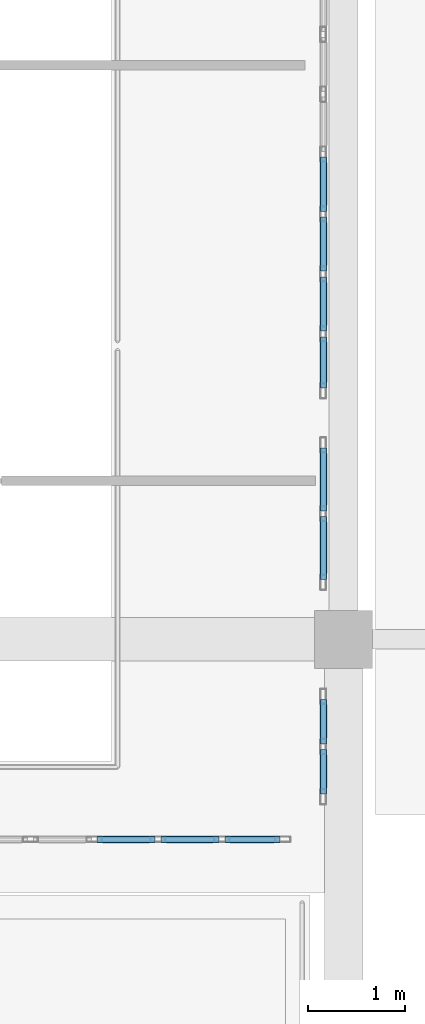
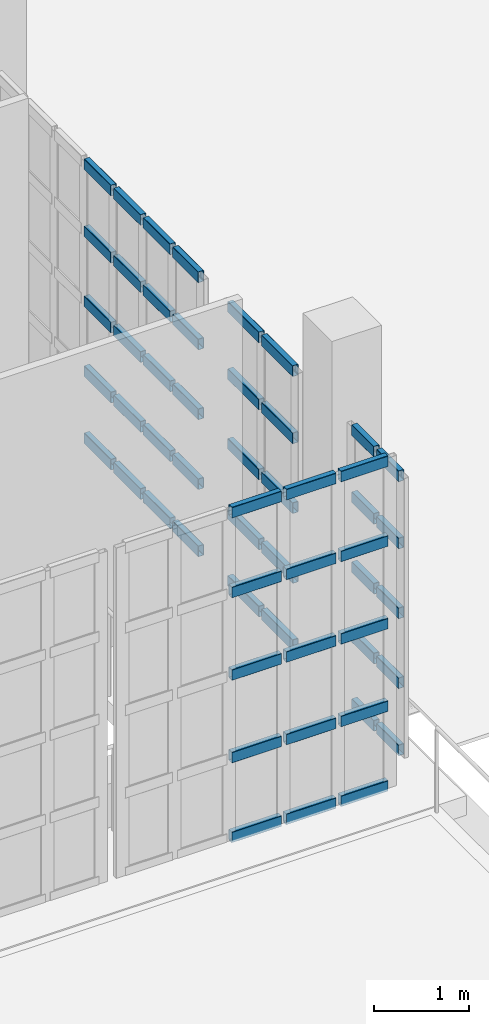
# One storey, part 28 of 56: 55 members, 4 elements without a shape of their own.
"""IFC4 building model written with IfcOpenShell, lengths in metres."""

import ifcopenshell
import ifcopenshell.guid

model = None  # the IFC model being written
_history = None  # IfcOwnerHistory: only IFC2X3 demands one
_inside = {}  # id of a spatial element -> (the spatial element, [elements in it])
_under = {}  # id of a project, library or spatial element -> (it, [spatial elements below it])
_declared = {}  # id of a project -> (the project, [libraries it declares])
_typed = {}  # id of a type object -> (the type object, [elements of that type])
_made_of = {}  # id of a material, layer set ... -> (it, [elements and type objects made of it])


def new_model(schema):
    """Start an empty IFC model of exactly this schema.

    Asked for "IFC4X3", IfcOpenShell would pick the latest addendum, in which some entities
    have other attributes; the version numbers below select the first issue.
    IFC2X3 requires an IfcOwnerHistory on every rooted entity: one is made here for all.
    """
    global model, _history
    if schema == "IFC4X3":
        model = ifcopenshell.file(schema_version=(4, 3, 0, 0))
    else:
        model = ifcopenshell.file(schema=schema)
    _inside.clear()
    _under.clear()
    _declared.clear()
    _typed.clear()
    _made_of.clear()
    _history = None
    if model.schema == "IFC2X3":
        org = make("IfcOrganization", Name="unknown")
        user = make(
            "IfcPersonAndOrganization",
            ThePerson=make("IfcPerson", FamilyName="unknown"),
            TheOrganization=org,
        )
        app = make(
            "IfcApplication",
            ApplicationDeveloper=org,
            Version="unknown",
            ApplicationFullName="unknown",
            ApplicationIdentifier="unknown",
        )
        _history = make(
            "IfcOwnerHistory",
            OwningUser=user,
            OwningApplication=app,
            ChangeAction="ADDED",
            CreationDate=0,
        )
    return model


def make(cls, **values):
    """One entity of the class cls with the attributes given. An attribute that is None is left unset."""
    return model.create_entity(
        cls, **{name: value for name, value in values.items() if value is not None}
    )


def rooted(cls, **values):
    """An entity with a GlobalId (a new one), such as an element, a storey or a relation."""
    return make(cls, GlobalId=ifcopenshell.guid.new(), OwnerHistory=_history, **values)


def si_unit(unit_type, name, prefix=None):
    """IfcSIUnit, for example si_unit("LENGTHUNIT", "METRE", prefix="MILLI")."""
    return make("IfcSIUnit", UnitType=unit_type, Prefix=prefix, Name=name)


def assignment(units):
    """IfcUnitAssignment: the units of a project."""
    return None if units is None else make("IfcUnitAssignment", Units=units)


def point(xyz):
    """IfcCartesianPoint."""
    return None if xyz is None else make("IfcCartesianPoint", Coordinates=xyz)


def direction(xyz):
    """IfcDirection."""
    return None if xyz is None else make("IfcDirection", DirectionRatios=xyz)


def frame(location, z_axis=None, x_axis=None):
    """IfcAxis2Placement3D, a coordinate frame: its origin and axes. An axis left out is left unset."""
    return make(
        "IfcAxis2Placement3D",
        Location=point(location),
        Axis=direction(z_axis),
        RefDirection=direction(x_axis),
    )


def frame_2d(location, x_axis=None):
    """IfcAxis2Placement2D, a coordinate frame in the plane: its origin and x axis."""
    return make(
        "IfcAxis2Placement2D", Location=point(location), RefDirection=direction(x_axis)
    )


def origin():
    """The frame at (0, 0, 0) with its axes left unset."""
    return frame((0.0, 0.0, 0.0))


def origin_2d():
    """The frame at (0, 0) in the plane with its x axis left unset."""
    return frame_2d((0.0, 0.0))


def place(relative_to, where):
    """IfcLocalPlacement: puts the frame where relative to a parent placement (None: the world)."""
    return make(
        "IfcLocalPlacement", PlacementRelTo=relative_to, RelativePlacement=where
    )


def context(
    kind, dimensions, precision=None, world=None, true_north=None, identifier=None
):
    """IfcGeometricRepresentationContext, for example the 3D "Model" context."""
    return make(
        "IfcGeometricRepresentationContext",
        ContextIdentifier=identifier,
        ContextType=kind,
        CoordinateSpaceDimension=dimensions,
        Precision=precision,
        WorldCoordinateSystem=world,
        TrueNorth=true_north,
    )


def subcontext(parent, identifier, kind, view, scale=None):
    """IfcGeometricRepresentationSubContext, for example "Body" below "Model"."""
    return make(
        "IfcGeometricRepresentationSubContext",
        ContextIdentifier=identifier,
        ContextType=kind,
        ParentContext=parent,
        TargetScale=scale,
        TargetView=view,
    )


def project(units=None, contexts=None):
    """IfcProject with its units and contexts."""
    return rooted(
        "IfcProject",
        Name="project",
        RepresentationContexts=contexts,
        UnitsInContext=assignment(units),
    )


def spatial(cls, under=None, at=None, **own):
    """A site, building, storey or space (cls), placed at a placement, below another one or the project."""
    s = rooted(cls, ObjectPlacement=at, **own)
    if under is not None:
        _under.setdefault(under.id(), (under, []))[1].append(s)
    return s


def profile(cls, at=None, kind="AREA", **sizes):
    """A parametric profile (cls). Its sizes go by their IFC names, for example OverallWidth=200.0."""
    return make(cls, ProfileType=kind, Position=at, **sizes)


def hollow_rectangle(**sizes):
    """IfcRectangleHollowProfileDef."""
    return profile("IfcRectangleHollowProfileDef", **sizes)


def extrude(swept, where, along, depth):
    """IfcExtrudedAreaSolid: the profile swept, set in the frame where, extruded along a direction by depth."""
    return make(
        "IfcExtrudedAreaSolid",
        SweptArea=swept,
        Position=where,
        ExtrudedDirection=direction(along),
        Depth=depth,
    )


def shape(context_of_items, identifier, shape_type, items):
    """IfcShapeRepresentation: the items that make up one representation, for example the "Body"."""
    return make(
        "IfcShapeRepresentation",
        ContextOfItems=context_of_items,
        RepresentationIdentifier=identifier,
        RepresentationType=shape_type,
        Items=items,
    )


def material(Name=None, Category=None):
    """IfcMaterial."""
    return make("IfcMaterial", Name=Name, Category=Category)


def material_profile(
    of_material, cross_section, Name=None, Category=None, Priority=None
):
    """IfcMaterialProfile: a cross section and its material."""
    return make(
        "IfcMaterialProfile",
        Name=Name,
        Material=of_material,
        Profile=cross_section,
        Priority=Priority,
        Category=Category,
    )


def profile_set(profiles, Name=None, composite=None):
    """IfcMaterialProfileSet."""
    return make(
        "IfcMaterialProfileSet",
        Name=Name,
        MaterialProfiles=profiles,
        CompositeProfile=composite,
    )


def made_of(thing, what):
    """Note that an element or type object is made of a material, layer set ...; save() writes the relation."""
    if what is not None:
        _made_of.setdefault(what.id(), (what, []))[1].append(thing)
    return thing


def type_object(cls, material=None, **own):
    """A type object (cls), such as IfcWallType, which elements share."""
    return made_of(rooted(cls, **own), material)


def element(
    cls,
    number,
    at=None,
    inside=None,
    cuts=None,
    type_object=None,
    material=None,
    context=None,
    identifier="Body",
    shape_type=None,
    held_by="IfcProductDefinitionShape",
    body=None,
    shapes=None,
    **own,
):
    """One element of the class cls, such as IfcWall. Its Tag is "e" and its number.

    at: its placement. inside: the storey or other place that contains it. cuts: it is an
    opening in that element (IfcRelVoidsElement). A single representation is given by context,
    identifier, shape_type and body (its items); several are given by shapes. held_by: the class
    of the entity that holds the representations. save() writes the other relations.
    """
    e = rooted(cls, Tag="e%d" % number, ObjectPlacement=at, **own)
    if body is not None:
        shapes = [shape(context, identifier, shape_type, body)]
    if shapes is not None:
        e.Representation = make(held_by, Representations=shapes)
    if inside is not None:
        _inside.setdefault(inside.id(), (inside, []))[1].append(e)
    if cuts is not None:
        rooted(
            "IfcRelVoidsElement", RelatingBuildingElement=cuts, RelatedOpeningElement=e
        )
    if type_object is not None:
        _typed.setdefault(type_object.id(), (type_object, []))[1].append(e)
    return made_of(e, material)


def aggregate(whole, parts):
    """IfcRelAggregates: a whole, such as a stair, and the parts it consists of."""
    return rooted("IfcRelAggregates", RelatingObject=whole, RelatedObjects=parts)


def save(model, path):
    """Write the relations noted so far, then the file.

    IfcRelAggregates (storeys below a building ...), IfcRelContainedInSpatialStructure (elements
    in a storey), IfcRelDefinesByType, IfcRelAssociatesMaterial and IfcRelDeclares: one each for
    every whole, place, type object, material and project.
    """
    for whole, parts in _under.values():
        aggregate(whole, parts)
    for where, things in _inside.values():
        rooted(
            "IfcRelContainedInSpatialStructure",
            RelatedElements=things,
            RelatingStructure=where,
        )
    for kind, things in _typed.values():
        rooted("IfcRelDefinesByType", RelatedObjects=things, RelatingType=kind)
    for what, things in _made_of.values():
        rooted("IfcRelAssociatesMaterial", RelatedObjects=things, RelatingMaterial=what)
    for by, libraries in _declared.values():
        rooted("IfcRelDeclares", RelatingContext=by, RelatedDefinitions=libraries)
    model.write(path)


model = new_model("IFC4")

# Units and contexts
model_context = context("Model", 3, precision=1e-05, world=origin(), true_north=direction((0.0, 1.0)))
body_context = subcontext(model_context, "Body", "Model", "MODEL_VIEW")
ifc_project = project(units=[si_unit("LENGTHUNIT", "METRE"), si_unit("AREAUNIT", "SQUARE_METRE"), si_unit("VOLUMEUNIT", "CUBIC_METRE"), si_unit("PLANEANGLEUNIT", "RADIAN"), si_unit("MASSUNIT", "GRAM", prefix="KILO")], contexts=[model_context])

# Site, building, storey
site_placement = place(None, origin())
site = spatial("IfcSite", under=ifc_project, at=site_placement, CompositionType="ELEMENT")
building_placement = place(site_placement, origin())
building = spatial("IfcBuilding", under=site, at=building_placement, Name="Kaelora Sail Theatre", CompositionType="ELEMENT")
storey_placement = place(building_placement, frame((0.0, 0.0, 14.699951171875)))
storey = spatial("IfcBuildingStorey", under=building, at=storey_placement, Name="L03", CompositionType="ELEMENT", Elevation=14.699951171875)

# Curtain wall, members
ifc_material_1 = material(Name="Anodised aluminium and solar-control low-E IGU", Category="aluminium")
curtain_wall_type = type_object("IfcCurtainWallType", Name="ARC-CW-CW-BRG", PredefinedType="NOTDEFINED", material=ifc_material_1)
curtain_wall_1_placement = place(storey_placement, origin())
curtain_wall_1 = element("IfcCurtainWall", 1, at=curtain_wall_1_placement, inside=storey, type_object=curtain_wall_type, Name="Glazed Foyer/Conservatory Curtain Wall FC1-S-L03-11", PredefinedType="NOTDEFINED")
ifc_material_2 = material(Name="Anodised aluminium 6063-T6", Category="aluminium")
ifc_material_profile = material_profile(ifc_material_2, hollow_rectangle(XDim=0.070068359375, YDim=0.139892578125, WallThickness=0.00390625, InnerFilletRadius=0.00390625, OuterFilletRadius=0.008056640625, at=origin_2d()), Name="ALU-TRAN 70x140x4")
ifc_profile_set = profile_set([ifc_material_profile], Name="Anodised aluminium 6063-T6")
member_type = type_object("IfcMemberType", Name="ARC-MEM-TR-140", PredefinedType="USERDEFINED", material=ifc_profile_set)
member_1_placement = place(storey_placement, frame((88.050048828125, 66.389892578125, 0.03515625), z_axis=(1.0, 0.0, 0.0), x_axis=(0.0, 1.0, 0.0)))
member_1 = element("IfcMember", 2, at=member_1_placement, type_object=member_type, Name="CW-BRG transom 3.1", ObjectType="TRANSOM", PredefinedType="USERDEFINED", context=body_context, shape_type="SweptSolid", body=[
    extrude(hollow_rectangle(XDim=0.070068359375, YDim=0.139892578125, WallThickness=0.00390625, InnerFilletRadius=0.00390625, OuterFilletRadius=0.008056640625, at=origin_2d()), origin(), (0.0, 0.0, 1.0), 0.599853515625),
])
member_2_placement = place(storey_placement, frame((88.050048828125, 66.389892578125, 1.05615234375), z_axis=(1.0, 0.0, 0.0), x_axis=(0.0, 1.0, 0.0)))
member_2 = element("IfcMember", 3, at=member_2_placement, type_object=member_type, Name="CW-BRG transom 3.2", ObjectType="TRANSOM", PredefinedType="USERDEFINED", context=body_context, shape_type="SweptSolid", body=[
    extrude(hollow_rectangle(XDim=0.070068359375, YDim=0.139892578125, WallThickness=0.00390625, InnerFilletRadius=0.00390625, OuterFilletRadius=0.008056640625, at=origin_2d()), origin(), (0.0, 0.0, 1.0), 0.599853515625),
])
member_3_placement = place(storey_placement, frame((88.050048828125, 66.389892578125, 2.112548828125), z_axis=(1.0, 0.0, 0.0), x_axis=(0.0, 1.0, 0.0)))
member_3 = element("IfcMember", 4, at=member_3_placement, type_object=member_type, Name="CW-BRG transom 3.3", ObjectType="TRANSOM", PredefinedType="USERDEFINED", context=body_context, shape_type="SweptSolid", body=[
    extrude(hollow_rectangle(XDim=0.070068359375, YDim=0.139892578125, WallThickness=0.00390625, InnerFilletRadius=0.00390625, OuterFilletRadius=0.008056640625, at=origin_2d()), origin(), (0.0, 0.0, 1.0), 0.599853515625),
])
member_4_placement = place(storey_placement, frame((88.050048828125, 66.389892578125, 3.168701171875), z_axis=(1.0, 0.0, 0.0), x_axis=(0.0, 1.0, 0.0)))
member_4 = element("IfcMember", 5, at=member_4_placement, type_object=member_type, Name="CW-BRG transom 3.4", ObjectType="TRANSOM", PredefinedType="USERDEFINED", context=body_context, shape_type="SweptSolid", body=[
    extrude(hollow_rectangle(XDim=0.070068359375, YDim=0.139892578125, WallThickness=0.00390625, InnerFilletRadius=0.00390625, OuterFilletRadius=0.008056640625, at=origin_2d()), origin(), (0.0, 0.0, 1.0), 0.599853515625),
])
member_5_placement = place(storey_placement, frame((88.050048828125, 66.389892578125, 4.18994140625), z_axis=(1.0, 0.0, 0.0), x_axis=(0.0, 1.0, 0.0)))
member_5 = element("IfcMember", 6, at=member_5_placement, type_object=member_type, Name="CW-BRG transom 3.5", ObjectType="TRANSOM", PredefinedType="USERDEFINED", context=body_context, shape_type="SweptSolid", body=[
    extrude(hollow_rectangle(XDim=0.070068359375, YDim=0.139892578125, WallThickness=0.00390625, InnerFilletRadius=0.00390625, OuterFilletRadius=0.008056640625, at=origin_2d()), origin(), (0.0, 0.0, 1.0), 0.599853515625),
])
member_6_placement = place(storey_placement, frame((88.7099609375, 66.389892578125, 0.03515625), z_axis=(1.0, 0.0, 0.0), x_axis=(0.0, 1.0, 0.0)))
member_6 = element("IfcMember", 7, at=member_6_placement, type_object=member_type, Name="CW-BRG transom 4.1", ObjectType="TRANSOM", PredefinedType="USERDEFINED", context=body_context, shape_type="SweptSolid", body=[
    extrude(hollow_rectangle(XDim=0.070068359375, YDim=0.139892578125, WallThickness=0.00390625, InnerFilletRadius=0.00390625, OuterFilletRadius=0.008056640625, at=origin_2d()), origin(), (0.0, 0.0, 1.0), 0.60009765625),
])
member_7_placement = place(storey_placement, frame((88.7099609375, 66.389892578125, 1.05615234375), z_axis=(1.0, 0.0, 0.0), x_axis=(0.0, 1.0, 0.0)))
member_7 = element("IfcMember", 8, at=member_7_placement, type_object=member_type, Name="CW-BRG transom 4.2", ObjectType="TRANSOM", PredefinedType="USERDEFINED", context=body_context, shape_type="SweptSolid", body=[
    extrude(hollow_rectangle(XDim=0.070068359375, YDim=0.139892578125, WallThickness=0.00390625, InnerFilletRadius=0.00390625, OuterFilletRadius=0.008056640625, at=origin_2d()), origin(), (0.0, 0.0, 1.0), 0.60009765625),
])
member_8_placement = place(storey_placement, frame((88.7099609375, 66.389892578125, 2.112548828125), z_axis=(1.0, 0.0, 0.0), x_axis=(0.0, 1.0, 0.0)))
member_8 = element("IfcMember", 9, at=member_8_placement, type_object=member_type, Name="CW-BRG transom 4.3", ObjectType="TRANSOM", PredefinedType="USERDEFINED", context=body_context, shape_type="SweptSolid", body=[
    extrude(hollow_rectangle(XDim=0.070068359375, YDim=0.139892578125, WallThickness=0.00390625, InnerFilletRadius=0.00390625, OuterFilletRadius=0.008056640625, at=origin_2d()), origin(), (0.0, 0.0, 1.0), 0.60009765625),
])
member_9_placement = place(storey_placement, frame((88.7099609375, 66.389892578125, 3.168701171875), z_axis=(1.0, 0.0, 0.0), x_axis=(0.0, 1.0, 0.0)))
member_9 = element("IfcMember", 10, at=member_9_placement, type_object=member_type, Name="CW-BRG transom 4.4", ObjectType="TRANSOM", PredefinedType="USERDEFINED", context=body_context, shape_type="SweptSolid", body=[
    extrude(hollow_rectangle(XDim=0.070068359375, YDim=0.139892578125, WallThickness=0.00390625, InnerFilletRadius=0.00390625, OuterFilletRadius=0.008056640625, at=origin_2d()), origin(), (0.0, 0.0, 1.0), 0.60009765625),
])
member_10_placement = place(storey_placement, frame((88.7099609375, 66.389892578125, 4.18994140625), z_axis=(1.0, 0.0, 0.0), x_axis=(0.0, 1.0, 0.0)))
member_10 = element("IfcMember", 11, at=member_10_placement, type_object=member_type, Name="CW-BRG transom 4.5", ObjectType="TRANSOM", PredefinedType="USERDEFINED", context=body_context, shape_type="SweptSolid", body=[
    extrude(hollow_rectangle(XDim=0.070068359375, YDim=0.139892578125, WallThickness=0.00390625, InnerFilletRadius=0.00390625, OuterFilletRadius=0.008056640625, at=origin_2d()), origin(), (0.0, 0.0, 1.0), 0.60009765625),
])
member_11_placement = place(storey_placement, frame((89.3701171875, 66.389892578125, 0.03515625), z_axis=(1.0, 0.0, 0.0), x_axis=(0.0, 1.0, 0.0)))
member_11 = element("IfcMember", 12, at=member_11_placement, type_object=member_type, Name="CW-BRG transom 5.1", ObjectType="TRANSOM", PredefinedType="USERDEFINED", context=body_context, shape_type="SweptSolid", body=[
    extrude(hollow_rectangle(XDim=0.070068359375, YDim=0.139892578125, WallThickness=0.00390625, InnerFilletRadius=0.00390625, OuterFilletRadius=0.008056640625, at=origin_2d()), origin(), (0.0, 0.0, 1.0), 0.56982421875),
])
member_12_placement = place(storey_placement, frame((89.3701171875, 66.389892578125, 1.05615234375), z_axis=(1.0, 0.0, 0.0), x_axis=(0.0, 1.0, 0.0)))
member_12 = element("IfcMember", 13, at=member_12_placement, type_object=member_type, Name="CW-BRG transom 5.2", ObjectType="TRANSOM", PredefinedType="USERDEFINED", context=body_context, shape_type="SweptSolid", body=[
    extrude(hollow_rectangle(XDim=0.070068359375, YDim=0.139892578125, WallThickness=0.00390625, InnerFilletRadius=0.00390625, OuterFilletRadius=0.008056640625, at=origin_2d()), origin(), (0.0, 0.0, 1.0), 0.56982421875),
])
member_13_placement = place(storey_placement, frame((89.3701171875, 66.389892578125, 2.112548828125), z_axis=(1.0, 0.0, 0.0), x_axis=(0.0, 1.0, 0.0)))
member_13 = element("IfcMember", 14, at=member_13_placement, type_object=member_type, Name="CW-BRG transom 5.3", ObjectType="TRANSOM", PredefinedType="USERDEFINED", context=body_context, shape_type="SweptSolid", body=[
    extrude(hollow_rectangle(XDim=0.070068359375, YDim=0.139892578125, WallThickness=0.00390625, InnerFilletRadius=0.00390625, OuterFilletRadius=0.008056640625, at=origin_2d()), origin(), (0.0, 0.0, 1.0), 0.56982421875),
])
member_14_placement = place(storey_placement, frame((89.3701171875, 66.389892578125, 3.168701171875), z_axis=(1.0, 0.0, 0.0), x_axis=(0.0, 1.0, 0.0)))
member_14 = element("IfcMember", 15, at=member_14_placement, type_object=member_type, Name="CW-BRG transom 5.4", ObjectType="TRANSOM", PredefinedType="USERDEFINED", context=body_context, shape_type="SweptSolid", body=[
    extrude(hollow_rectangle(XDim=0.070068359375, YDim=0.139892578125, WallThickness=0.00390625, InnerFilletRadius=0.00390625, OuterFilletRadius=0.008056640625, at=origin_2d()), origin(), (0.0, 0.0, 1.0), 0.56982421875),
])
member_15_placement = place(storey_placement, frame((89.3701171875, 66.389892578125, 4.18994140625), z_axis=(1.0, 0.0, 0.0), x_axis=(0.0, 1.0, 0.0)))
member_15 = element("IfcMember", 16, at=member_15_placement, type_object=member_type, Name="CW-BRG transom 5.5", ObjectType="TRANSOM", PredefinedType="USERDEFINED", context=body_context, shape_type="SweptSolid", body=[
    extrude(hollow_rectangle(XDim=0.070068359375, YDim=0.139892578125, WallThickness=0.00390625, InnerFilletRadius=0.00390625, OuterFilletRadius=0.008056640625, at=origin_2d()), origin(), (0.0, 0.0, 1.0), 0.56982421875),
])
aggregate(curtain_wall_1, [member_1, member_2, member_3, member_4, member_5, member_6, member_7, member_8, member_9, member_10, member_11, member_12, member_13, member_14, member_15])

curtain_wall_2_placement = place(storey_placement, origin())
curtain_wall_2 = element("IfcCurtainWall", 17, at=curtain_wall_2_placement, inside=storey, type_object=curtain_wall_type, Name="Glazed Colonnade/Courtyard Curtain Wall FC1-STEP-E-L03-01", PredefinedType="NOTDEFINED")
member_16_placement = place(storey_placement, frame((90.389892578125, 66.860107421875, 0.03515625), z_axis=(0.0, 1.0, 0.0), x_axis=(-1.0, 0.0, 0.0)))
member_16 = element("IfcMember", 18, at=member_16_placement, type_object=member_type, Name="CW-BRG transom 1.1", ObjectType="TRANSOM", PredefinedType="USERDEFINED", context=body_context, shape_type="SweptSolid", body=[
    extrude(hollow_rectangle(XDim=0.070068359375, YDim=0.139892578125, WallThickness=0.00390625, InnerFilletRadius=0.00390625, OuterFilletRadius=0.008056640625, at=origin_2d()), origin(), (0.0, 0.0, 1.0), 0.4599609375),
])
member_17_placement = place(storey_placement, frame((90.389892578125, 66.860107421875, 0.894287109375), z_axis=(0.0, 1.0, 0.0), x_axis=(-1.0, 0.0, 0.0)))
member_17 = element("IfcMember", 19, at=member_17_placement, type_object=member_type, Name="CW-BRG transom 1.2", ObjectType="TRANSOM", PredefinedType="USERDEFINED", context=body_context, shape_type="SweptSolid", body=[
    extrude(hollow_rectangle(XDim=0.070068359375, YDim=0.139892578125, WallThickness=0.00390625, InnerFilletRadius=0.00390625, OuterFilletRadius=0.008056640625, at=origin_2d()), origin(), (0.0, 0.0, 1.0), 0.4599609375),
])
member_18_placement = place(storey_placement, frame((90.389892578125, 66.860107421875, 1.78857421875), z_axis=(0.0, 1.0, 0.0), x_axis=(-1.0, 0.0, 0.0)))
member_18 = element("IfcMember", 20, at=member_18_placement, type_object=member_type, Name="CW-BRG transom 1.3", ObjectType="TRANSOM", PredefinedType="USERDEFINED", context=body_context, shape_type="SweptSolid", body=[
    extrude(hollow_rectangle(XDim=0.070068359375, YDim=0.139892578125, WallThickness=0.00390625, InnerFilletRadius=0.00390625, OuterFilletRadius=0.008056640625, at=origin_2d()), origin(), (0.0, 0.0, 1.0), 0.4599609375),
])
member_19_placement = place(storey_placement, frame((90.389892578125, 66.860107421875, 2.682861328125), z_axis=(0.0, 1.0, 0.0), x_axis=(-1.0, 0.0, 0.0)))
member_19 = element("IfcMember", 21, at=member_19_placement, type_object=member_type, Name="CW-BRG transom 1.4", ObjectType="TRANSOM", PredefinedType="USERDEFINED", context=body_context, shape_type="SweptSolid", body=[
    extrude(hollow_rectangle(XDim=0.070068359375, YDim=0.139892578125, WallThickness=0.00390625, InnerFilletRadius=0.00390625, OuterFilletRadius=0.008056640625, at=origin_2d()), origin(), (0.0, 0.0, 1.0), 0.4599609375),
])
member_20_placement = place(storey_placement, frame((90.389892578125, 66.860107421875, 3.5419921875), z_axis=(0.0, 1.0, 0.0), x_axis=(-1.0, 0.0, 0.0)))
member_20 = element("IfcMember", 22, at=member_20_placement, type_object=member_type, Name="CW-BRG transom 1.5", ObjectType="TRANSOM", PredefinedType="USERDEFINED", context=body_context, shape_type="SweptSolid", body=[
    extrude(hollow_rectangle(XDim=0.070068359375, YDim=0.139892578125, WallThickness=0.00390625, InnerFilletRadius=0.00390625, OuterFilletRadius=0.008056640625, at=origin_2d()), origin(), (0.0, 0.0, 1.0), 0.4599609375),
])
member_21_placement = place(storey_placement, frame((90.389892578125, 67.3798828125, 0.03515625), z_axis=(0.0, 1.0, 0.0), x_axis=(-1.0, 0.0, 0.0)))
member_21 = element("IfcMember", 23, at=member_21_placement, type_object=member_type, Name="CW-BRG transom 2.1", ObjectType="TRANSOM", PredefinedType="USERDEFINED", context=body_context, shape_type="SweptSolid", body=[
    extrude(hollow_rectangle(XDim=0.070068359375, YDim=0.139892578125, WallThickness=0.00390625, InnerFilletRadius=0.00390625, OuterFilletRadius=0.008056640625, at=origin_2d()), origin(), (0.0, 0.0, 1.0), 0.460205078125),
])
member_22_placement = place(storey_placement, frame((90.389892578125, 67.3798828125, 0.894287109375), z_axis=(0.0, 1.0, 0.0), x_axis=(-1.0, 0.0, 0.0)))
member_22 = element("IfcMember", 24, at=member_22_placement, type_object=member_type, Name="CW-BRG transom 2.2", ObjectType="TRANSOM", PredefinedType="USERDEFINED", context=body_context, shape_type="SweptSolid", body=[
    extrude(hollow_rectangle(XDim=0.070068359375, YDim=0.139892578125, WallThickness=0.00390625, InnerFilletRadius=0.00390625, OuterFilletRadius=0.008056640625, at=origin_2d()), origin(), (0.0, 0.0, 1.0), 0.460205078125),
])
member_23_placement = place(storey_placement, frame((90.389892578125, 67.3798828125, 1.78857421875), z_axis=(0.0, 1.0, 0.0), x_axis=(-1.0, 0.0, 0.0)))
member_23 = element("IfcMember", 25, at=member_23_placement, type_object=member_type, Name="CW-BRG transom 2.3", ObjectType="TRANSOM", PredefinedType="USERDEFINED", context=body_context, shape_type="SweptSolid", body=[
    extrude(hollow_rectangle(XDim=0.070068359375, YDim=0.139892578125, WallThickness=0.00390625, InnerFilletRadius=0.00390625, OuterFilletRadius=0.008056640625, at=origin_2d()), origin(), (0.0, 0.0, 1.0), 0.460205078125),
])
member_24_placement = place(storey_placement, frame((90.389892578125, 67.3798828125, 2.682861328125), z_axis=(0.0, 1.0, 0.0), x_axis=(-1.0, 0.0, 0.0)))
member_24 = element("IfcMember", 26, at=member_24_placement, type_object=member_type, Name="CW-BRG transom 2.4", ObjectType="TRANSOM", PredefinedType="USERDEFINED", context=body_context, shape_type="SweptSolid", body=[
    extrude(hollow_rectangle(XDim=0.070068359375, YDim=0.139892578125, WallThickness=0.00390625, InnerFilletRadius=0.00390625, OuterFilletRadius=0.008056640625, at=origin_2d()), origin(), (0.0, 0.0, 1.0), 0.460205078125),
])
member_25_placement = place(storey_placement, frame((90.389892578125, 67.3798828125, 3.5419921875), z_axis=(0.0, 1.0, 0.0), x_axis=(-1.0, 0.0, 0.0)))
member_25 = element("IfcMember", 27, at=member_25_placement, type_object=member_type, Name="CW-BRG transom 2.5", ObjectType="TRANSOM", PredefinedType="USERDEFINED", context=body_context, shape_type="SweptSolid", body=[
    extrude(hollow_rectangle(XDim=0.070068359375, YDim=0.139892578125, WallThickness=0.00390625, InnerFilletRadius=0.00390625, OuterFilletRadius=0.008056640625, at=origin_2d()), origin(), (0.0, 0.0, 1.0), 0.460205078125),
])
aggregate(curtain_wall_2, [member_16, member_17, member_18, member_19, member_20, member_21, member_22, member_23, member_24, member_25])

curtain_wall_3_placement = place(storey_placement, origin())
curtain_wall_3 = element("IfcCurtainWall", 28, at=curtain_wall_3_placement, inside=storey, type_object=curtain_wall_type, Name="Glazed Colonnade/Courtyard Curtain Wall FC1-STEP-E-L03-01", PredefinedType="NOTDEFINED")
member_26_placement = place(storey_placement, frame((90.389892578125, 69.080078125, 0.03515625), z_axis=(0.0, 1.0, 0.0), x_axis=(-1.0, 0.0, 0.0)))
member_26 = element("IfcMember", 29, at=member_26_placement, type_object=member_type, Name="CW-BRG transom 1.1", ObjectType="TRANSOM", PredefinedType="USERDEFINED", context=body_context, shape_type="SweptSolid", body=[
    extrude(hollow_rectangle(XDim=0.070068359375, YDim=0.139892578125, WallThickness=0.00390625, InnerFilletRadius=0.00390625, OuterFilletRadius=0.008056640625, at=origin_2d()), origin(), (0.0, 0.0, 1.0), 0.64990234375),
])
member_27_placement = place(storey_placement, frame((90.389892578125, 69.080078125, 0.894287109375), z_axis=(0.0, 1.0, 0.0), x_axis=(-1.0, 0.0, 0.0)))
member_27 = element("IfcMember", 30, at=member_27_placement, type_object=member_type, Name="CW-BRG transom 1.2", ObjectType="TRANSOM", PredefinedType="USERDEFINED", context=body_context, shape_type="SweptSolid", body=[
    extrude(hollow_rectangle(XDim=0.070068359375, YDim=0.139892578125, WallThickness=0.00390625, InnerFilletRadius=0.00390625, OuterFilletRadius=0.008056640625, at=origin_2d()), origin(), (0.0, 0.0, 1.0), 0.64990234375),
])
member_28_placement = place(storey_placement, frame((90.389892578125, 69.080078125, 1.78857421875), z_axis=(0.0, 1.0, 0.0), x_axis=(-1.0, 0.0, 0.0)))
member_28 = element("IfcMember", 31, at=member_28_placement, type_object=member_type, Name="CW-BRG transom 1.3", ObjectType="TRANSOM", PredefinedType="USERDEFINED", context=body_context, shape_type="SweptSolid", body=[
    extrude(hollow_rectangle(XDim=0.070068359375, YDim=0.139892578125, WallThickness=0.00390625, InnerFilletRadius=0.00390625, OuterFilletRadius=0.008056640625, at=origin_2d()), origin(), (0.0, 0.0, 1.0), 0.64990234375),
])
member_29_placement = place(storey_placement, frame((90.389892578125, 69.080078125, 2.682861328125), z_axis=(0.0, 1.0, 0.0), x_axis=(-1.0, 0.0, 0.0)))
member_29 = element("IfcMember", 32, at=member_29_placement, type_object=member_type, Name="CW-BRG transom 1.4", ObjectType="TRANSOM", PredefinedType="USERDEFINED", context=body_context, shape_type="SweptSolid", body=[
    extrude(hollow_rectangle(XDim=0.070068359375, YDim=0.139892578125, WallThickness=0.00390625, InnerFilletRadius=0.00390625, OuterFilletRadius=0.008056640625, at=origin_2d()), origin(), (0.0, 0.0, 1.0), 0.64990234375),
])
member_30_placement = place(storey_placement, frame((90.389892578125, 69.080078125, 3.5419921875), z_axis=(0.0, 1.0, 0.0), x_axis=(-1.0, 0.0, 0.0)))
member_30 = element("IfcMember", 33, at=member_30_placement, type_object=member_type, Name="CW-BRG transom 1.5", ObjectType="TRANSOM", PredefinedType="USERDEFINED", context=body_context, shape_type="SweptSolid", body=[
    extrude(hollow_rectangle(XDim=0.070068359375, YDim=0.139892578125, WallThickness=0.00390625, InnerFilletRadius=0.00390625, OuterFilletRadius=0.008056640625, at=origin_2d()), origin(), (0.0, 0.0, 1.0), 0.64990234375),
])
member_31_placement = place(storey_placement, frame((90.389892578125, 69.7900390625, 0.03515625), z_axis=(0.0, 1.0, 0.0), x_axis=(-1.0, 0.0, 0.0)))
member_31 = element("IfcMember", 34, at=member_31_placement, type_object=member_type, Name="CW-BRG transom 2.1", ObjectType="TRANSOM", PredefinedType="USERDEFINED", context=body_context, shape_type="SweptSolid", body=[
    extrude(hollow_rectangle(XDim=0.070068359375, YDim=0.139892578125, WallThickness=0.00390625, InnerFilletRadius=0.00390625, OuterFilletRadius=0.008056640625, at=origin_2d()), origin(), (0.0, 0.0, 1.0), 0.64990234375),
])
member_32_placement = place(storey_placement, frame((90.389892578125, 69.7900390625, 0.894287109375), z_axis=(0.0, 1.0, 0.0), x_axis=(-1.0, 0.0, 0.0)))
member_32 = element("IfcMember", 35, at=member_32_placement, type_object=member_type, Name="CW-BRG transom 2.2", ObjectType="TRANSOM", PredefinedType="USERDEFINED", context=body_context, shape_type="SweptSolid", body=[
    extrude(hollow_rectangle(XDim=0.070068359375, YDim=0.139892578125, WallThickness=0.00390625, InnerFilletRadius=0.00390625, OuterFilletRadius=0.008056640625, at=origin_2d()), origin(), (0.0, 0.0, 1.0), 0.64990234375),
])
member_33_placement = place(storey_placement, frame((90.389892578125, 69.7900390625, 1.78857421875), z_axis=(0.0, 1.0, 0.0), x_axis=(-1.0, 0.0, 0.0)))
member_33 = element("IfcMember", 36, at=member_33_placement, type_object=member_type, Name="CW-BRG transom 2.3", ObjectType="TRANSOM", PredefinedType="USERDEFINED", context=body_context, shape_type="SweptSolid", body=[
    extrude(hollow_rectangle(XDim=0.070068359375, YDim=0.139892578125, WallThickness=0.00390625, InnerFilletRadius=0.00390625, OuterFilletRadius=0.008056640625, at=origin_2d()), origin(), (0.0, 0.0, 1.0), 0.64990234375),
])
member_34_placement = place(storey_placement, frame((90.389892578125, 69.7900390625, 2.682861328125), z_axis=(0.0, 1.0, 0.0), x_axis=(-1.0, 0.0, 0.0)))
member_34 = element("IfcMember", 37, at=member_34_placement, type_object=member_type, Name="CW-BRG transom 2.4", ObjectType="TRANSOM", PredefinedType="USERDEFINED", context=body_context, shape_type="SweptSolid", body=[
    extrude(hollow_rectangle(XDim=0.070068359375, YDim=0.139892578125, WallThickness=0.00390625, InnerFilletRadius=0.00390625, OuterFilletRadius=0.008056640625, at=origin_2d()), origin(), (0.0, 0.0, 1.0), 0.64990234375),
])
member_35_placement = place(storey_placement, frame((90.389892578125, 69.7900390625, 3.5419921875), z_axis=(0.0, 1.0, 0.0), x_axis=(-1.0, 0.0, 0.0)))
member_35 = element("IfcMember", 38, at=member_35_placement, type_object=member_type, Name="CW-BRG transom 2.5", ObjectType="TRANSOM", PredefinedType="USERDEFINED", context=body_context, shape_type="SweptSolid", body=[
    extrude(hollow_rectangle(XDim=0.070068359375, YDim=0.139892578125, WallThickness=0.00390625, InnerFilletRadius=0.00390625, OuterFilletRadius=0.008056640625, at=origin_2d()), origin(), (0.0, 0.0, 1.0), 0.64990234375),
])
aggregate(curtain_wall_3, [member_26, member_27, member_28, member_29, member_30, member_31, member_32, member_33, member_34, member_35])

curtain_wall_4_placement = place(storey_placement, origin())
curtain_wall_4 = element("IfcCurtainWall", 39, at=curtain_wall_4_placement, inside=storey, type_object=curtain_wall_type, Name="Glazed Colonnade/Courtyard Curtain Wall FC1-STEP-E-L03-02", PredefinedType="NOTDEFINED")
member_36_placement = place(storey_placement, frame((90.389892578125, 71.06005859375, 0.03515625), z_axis=(0.0, 1.0, 0.0), x_axis=(-1.0, 0.0, 0.0)))
member_36 = element("IfcMember", 40, at=member_36_placement, type_object=member_type, Name="CW-BRG transom 1.1", ObjectType="TRANSOM", PredefinedType="USERDEFINED", context=body_context, shape_type="SweptSolid", body=[
    extrude(hollow_rectangle(XDim=0.070068359375, YDim=0.139892578125, WallThickness=0.00390625, InnerFilletRadius=0.00390625, OuterFilletRadius=0.008056640625, at=origin_2d()), origin(), (0.0, 0.0, 1.0), 0.530029296875),
])
member_37_placement = place(storey_placement, frame((90.389892578125, 71.06005859375, 0.894287109375), z_axis=(0.0, 1.0, 0.0), x_axis=(-1.0, 0.0, 0.0)))
member_37 = element("IfcMember", 41, at=member_37_placement, type_object=member_type, Name="CW-BRG transom 1.2", ObjectType="TRANSOM", PredefinedType="USERDEFINED", context=body_context, shape_type="SweptSolid", body=[
    extrude(hollow_rectangle(XDim=0.070068359375, YDim=0.139892578125, WallThickness=0.00390625, InnerFilletRadius=0.00390625, OuterFilletRadius=0.008056640625, at=origin_2d()), origin(), (0.0, 0.0, 1.0), 0.530029296875),
])
member_38_placement = place(storey_placement, frame((90.389892578125, 71.06005859375, 1.78857421875), z_axis=(0.0, 1.0, 0.0), x_axis=(-1.0, 0.0, 0.0)))
member_38 = element("IfcMember", 42, at=member_38_placement, type_object=member_type, Name="CW-BRG transom 1.3", ObjectType="TRANSOM", PredefinedType="USERDEFINED", context=body_context, shape_type="SweptSolid", body=[
    extrude(hollow_rectangle(XDim=0.070068359375, YDim=0.139892578125, WallThickness=0.00390625, InnerFilletRadius=0.00390625, OuterFilletRadius=0.008056640625, at=origin_2d()), origin(), (0.0, 0.0, 1.0), 0.530029296875),
])
member_39_placement = place(storey_placement, frame((90.389892578125, 71.06005859375, 2.682861328125), z_axis=(0.0, 1.0, 0.0), x_axis=(-1.0, 0.0, 0.0)))
member_39 = element("IfcMember", 43, at=member_39_placement, type_object=member_type, Name="CW-BRG transom 1.4", ObjectType="TRANSOM", PredefinedType="USERDEFINED", context=body_context, shape_type="SweptSolid", body=[
    extrude(hollow_rectangle(XDim=0.070068359375, YDim=0.139892578125, WallThickness=0.00390625, InnerFilletRadius=0.00390625, OuterFilletRadius=0.008056640625, at=origin_2d()), origin(), (0.0, 0.0, 1.0), 0.530029296875),
])
member_40_placement = place(storey_placement, frame((90.389892578125, 71.06005859375, 3.5419921875), z_axis=(0.0, 1.0, 0.0), x_axis=(-1.0, 0.0, 0.0)))
member_40 = element("IfcMember", 44, at=member_40_placement, type_object=member_type, Name="CW-BRG transom 1.5", ObjectType="TRANSOM", PredefinedType="USERDEFINED", context=body_context, shape_type="SweptSolid", body=[
    extrude(hollow_rectangle(XDim=0.070068359375, YDim=0.139892578125, WallThickness=0.00390625, InnerFilletRadius=0.00390625, OuterFilletRadius=0.008056640625, at=origin_2d()), origin(), (0.0, 0.0, 1.0), 0.530029296875),
])
member_41_placement = place(storey_placement, frame((90.389892578125, 71.64990234375, 0.03515625), z_axis=(0.0, 1.0, 0.0), x_axis=(-1.0, 0.0, 0.0)))
member_41 = element("IfcMember", 45, at=member_41_placement, type_object=member_type, Name="CW-BRG transom 2.1", ObjectType="TRANSOM", PredefinedType="USERDEFINED", context=body_context, shape_type="SweptSolid", body=[
    extrude(hollow_rectangle(XDim=0.070068359375, YDim=0.139892578125, WallThickness=0.00390625, InnerFilletRadius=0.00390625, OuterFilletRadius=0.008056640625, at=origin_2d()), origin(), (0.0, 0.0, 1.0), 0.56005859375),
])
member_42_placement = place(storey_placement, frame((90.389892578125, 71.64990234375, 0.894287109375), z_axis=(0.0, 1.0, 0.0), x_axis=(-1.0, 0.0, 0.0)))
member_42 = element("IfcMember", 46, at=member_42_placement, type_object=member_type, Name="CW-BRG transom 2.2", ObjectType="TRANSOM", PredefinedType="USERDEFINED", context=body_context, shape_type="SweptSolid", body=[
    extrude(hollow_rectangle(XDim=0.070068359375, YDim=0.139892578125, WallThickness=0.00390625, InnerFilletRadius=0.00390625, OuterFilletRadius=0.008056640625, at=origin_2d()), origin(), (0.0, 0.0, 1.0), 0.56005859375),
])
member_43_placement = place(storey_placement, frame((90.389892578125, 71.64990234375, 1.78857421875), z_axis=(0.0, 1.0, 0.0), x_axis=(-1.0, 0.0, 0.0)))
member_43 = element("IfcMember", 47, at=member_43_placement, type_object=member_type, Name="CW-BRG transom 2.3", ObjectType="TRANSOM", PredefinedType="USERDEFINED", context=body_context, shape_type="SweptSolid", body=[
    extrude(hollow_rectangle(XDim=0.070068359375, YDim=0.139892578125, WallThickness=0.00390625, InnerFilletRadius=0.00390625, OuterFilletRadius=0.008056640625, at=origin_2d()), origin(), (0.0, 0.0, 1.0), 0.56005859375),
])
member_44_placement = place(storey_placement, frame((90.389892578125, 71.64990234375, 2.682861328125), z_axis=(0.0, 1.0, 0.0), x_axis=(-1.0, 0.0, 0.0)))
member_44 = element("IfcMember", 48, at=member_44_placement, type_object=member_type, Name="CW-BRG transom 2.4", ObjectType="TRANSOM", PredefinedType="USERDEFINED", context=body_context, shape_type="SweptSolid", body=[
    extrude(hollow_rectangle(XDim=0.070068359375, YDim=0.139892578125, WallThickness=0.00390625, InnerFilletRadius=0.00390625, OuterFilletRadius=0.008056640625, at=origin_2d()), origin(), (0.0, 0.0, 1.0), 0.56005859375),
])
member_45_placement = place(storey_placement, frame((90.389892578125, 71.64990234375, 3.5419921875), z_axis=(0.0, 1.0, 0.0), x_axis=(-1.0, 0.0, 0.0)))
member_45 = element("IfcMember", 49, at=member_45_placement, type_object=member_type, Name="CW-BRG transom 2.5", ObjectType="TRANSOM", PredefinedType="USERDEFINED", context=body_context, shape_type="SweptSolid", body=[
    extrude(hollow_rectangle(XDim=0.070068359375, YDim=0.139892578125, WallThickness=0.00390625, InnerFilletRadius=0.00390625, OuterFilletRadius=0.008056640625, at=origin_2d()), origin(), (0.0, 0.0, 1.0), 0.56005859375),
])
member_46_placement = place(storey_placement, frame((90.389892578125, 72.27001953125, 0.03515625), z_axis=(0.0, 1.0, 0.0), x_axis=(-1.0, 0.0, 0.0)))
member_46 = element("IfcMember", 50, at=member_46_placement, type_object=member_type, Name="CW-BRG transom 3.1", ObjectType="TRANSOM", PredefinedType="USERDEFINED", context=body_context, shape_type="SweptSolid", body=[
    extrude(hollow_rectangle(XDim=0.070068359375, YDim=0.139892578125, WallThickness=0.00390625, InnerFilletRadius=0.00390625, OuterFilletRadius=0.008056640625, at=origin_2d()), origin(), (0.0, 0.0, 1.0), 0.56005859375),
])
member_47_placement = place(storey_placement, frame((90.389892578125, 72.27001953125, 0.894287109375), z_axis=(0.0, 1.0, 0.0), x_axis=(-1.0, 0.0, 0.0)))
member_47 = element("IfcMember", 51, at=member_47_placement, type_object=member_type, Name="CW-BRG transom 3.2", ObjectType="TRANSOM", PredefinedType="USERDEFINED", context=body_context, shape_type="SweptSolid", body=[
    extrude(hollow_rectangle(XDim=0.070068359375, YDim=0.139892578125, WallThickness=0.00390625, InnerFilletRadius=0.00390625, OuterFilletRadius=0.008056640625, at=origin_2d()), origin(), (0.0, 0.0, 1.0), 0.56005859375),
])
member_48_placement = place(storey_placement, frame((90.389892578125, 72.27001953125, 1.78857421875), z_axis=(0.0, 1.0, 0.0), x_axis=(-1.0, 0.0, 0.0)))
member_48 = element("IfcMember", 52, at=member_48_placement, type_object=member_type, Name="CW-BRG transom 3.3", ObjectType="TRANSOM", PredefinedType="USERDEFINED", context=body_context, shape_type="SweptSolid", body=[
    extrude(hollow_rectangle(XDim=0.070068359375, YDim=0.139892578125, WallThickness=0.00390625, InnerFilletRadius=0.00390625, OuterFilletRadius=0.008056640625, at=origin_2d()), origin(), (0.0, 0.0, 1.0), 0.56005859375),
])
member_49_placement = place(storey_placement, frame((90.389892578125, 72.27001953125, 2.682861328125), z_axis=(0.0, 1.0, 0.0), x_axis=(-1.0, 0.0, 0.0)))
member_49 = element("IfcMember", 53, at=member_49_placement, type_object=member_type, Name="CW-BRG transom 3.4", ObjectType="TRANSOM", PredefinedType="USERDEFINED", context=body_context, shape_type="SweptSolid", body=[
    extrude(hollow_rectangle(XDim=0.070068359375, YDim=0.139892578125, WallThickness=0.00390625, InnerFilletRadius=0.00390625, OuterFilletRadius=0.008056640625, at=origin_2d()), origin(), (0.0, 0.0, 1.0), 0.56005859375),
])
member_50_placement = place(storey_placement, frame((90.389892578125, 72.27001953125, 3.5419921875), z_axis=(0.0, 1.0, 0.0), x_axis=(-1.0, 0.0, 0.0)))
member_50 = element("IfcMember", 54, at=member_50_placement, type_object=member_type, Name="CW-BRG transom 3.5", ObjectType="TRANSOM", PredefinedType="USERDEFINED", context=body_context, shape_type="SweptSolid", body=[
    extrude(hollow_rectangle(XDim=0.070068359375, YDim=0.139892578125, WallThickness=0.00390625, InnerFilletRadius=0.00390625, OuterFilletRadius=0.008056640625, at=origin_2d()), origin(), (0.0, 0.0, 1.0), 0.56005859375),
])
member_51_placement = place(storey_placement, frame((90.389892578125, 72.889892578125, 0.03515625), z_axis=(0.0, 1.0, 0.0), x_axis=(-1.0, 0.0, 0.0)))
member_51 = element("IfcMember", 55, at=member_51_placement, type_object=member_type, Name="CW-BRG transom 4.1", ObjectType="TRANSOM", PredefinedType="USERDEFINED", context=body_context, shape_type="SweptSolid", body=[
    extrude(hollow_rectangle(XDim=0.070068359375, YDim=0.139892578125, WallThickness=0.00390625, InnerFilletRadius=0.00390625, OuterFilletRadius=0.008056640625, at=origin_2d()), origin(), (0.0, 0.0, 1.0), 0.56005859375),
])
member_52_placement = place(storey_placement, frame((90.389892578125, 72.889892578125, 0.894287109375), z_axis=(0.0, 1.0, 0.0), x_axis=(-1.0, 0.0, 0.0)))
member_52 = element("IfcMember", 56, at=member_52_placement, type_object=member_type, Name="CW-BRG transom 4.2", ObjectType="TRANSOM", PredefinedType="USERDEFINED", context=body_context, shape_type="SweptSolid", body=[
    extrude(hollow_rectangle(XDim=0.070068359375, YDim=0.139892578125, WallThickness=0.00390625, InnerFilletRadius=0.00390625, OuterFilletRadius=0.008056640625, at=origin_2d()), origin(), (0.0, 0.0, 1.0), 0.56005859375),
])
member_53_placement = place(storey_placement, frame((90.389892578125, 72.889892578125, 1.78857421875), z_axis=(0.0, 1.0, 0.0), x_axis=(-1.0, 0.0, 0.0)))
member_53 = element("IfcMember", 57, at=member_53_placement, type_object=member_type, Name="CW-BRG transom 4.3", ObjectType="TRANSOM", PredefinedType="USERDEFINED", context=body_context, shape_type="SweptSolid", body=[
    extrude(hollow_rectangle(XDim=0.070068359375, YDim=0.139892578125, WallThickness=0.00390625, InnerFilletRadius=0.00390625, OuterFilletRadius=0.008056640625, at=origin_2d()), origin(), (0.0, 0.0, 1.0), 0.56005859375),
])
member_54_placement = place(storey_placement, frame((90.389892578125, 72.889892578125, 2.682861328125), z_axis=(0.0, 1.0, 0.0), x_axis=(-1.0, 0.0, 0.0)))
member_54 = element("IfcMember", 58, at=member_54_placement, type_object=member_type, Name="CW-BRG transom 4.4", ObjectType="TRANSOM", PredefinedType="USERDEFINED", context=body_context, shape_type="SweptSolid", body=[
    extrude(hollow_rectangle(XDim=0.070068359375, YDim=0.139892578125, WallThickness=0.00390625, InnerFilletRadius=0.00390625, OuterFilletRadius=0.008056640625, at=origin_2d()), origin(), (0.0, 0.0, 1.0), 0.56005859375),
])
member_55_placement = place(storey_placement, frame((90.389892578125, 72.889892578125, 3.5419921875), z_axis=(0.0, 1.0, 0.0), x_axis=(-1.0, 0.0, 0.0)))
member_55 = element("IfcMember", 59, at=member_55_placement, type_object=member_type, Name="CW-BRG transom 4.5", ObjectType="TRANSOM", PredefinedType="USERDEFINED", context=body_context, shape_type="SweptSolid", body=[
    extrude(hollow_rectangle(XDim=0.070068359375, YDim=0.139892578125, WallThickness=0.00390625, InnerFilletRadius=0.00390625, OuterFilletRadius=0.008056640625, at=origin_2d()), origin(), (0.0, 0.0, 1.0), 0.56005859375),
])
aggregate(curtain_wall_4, [member_36, member_37, member_38, member_39, member_40, member_41, member_42, member_43, member_44, member_45, member_46, member_47, member_48, member_49, member_50, member_51, member_52, member_53, member_54, member_55])

save(model, "model.ifc")
